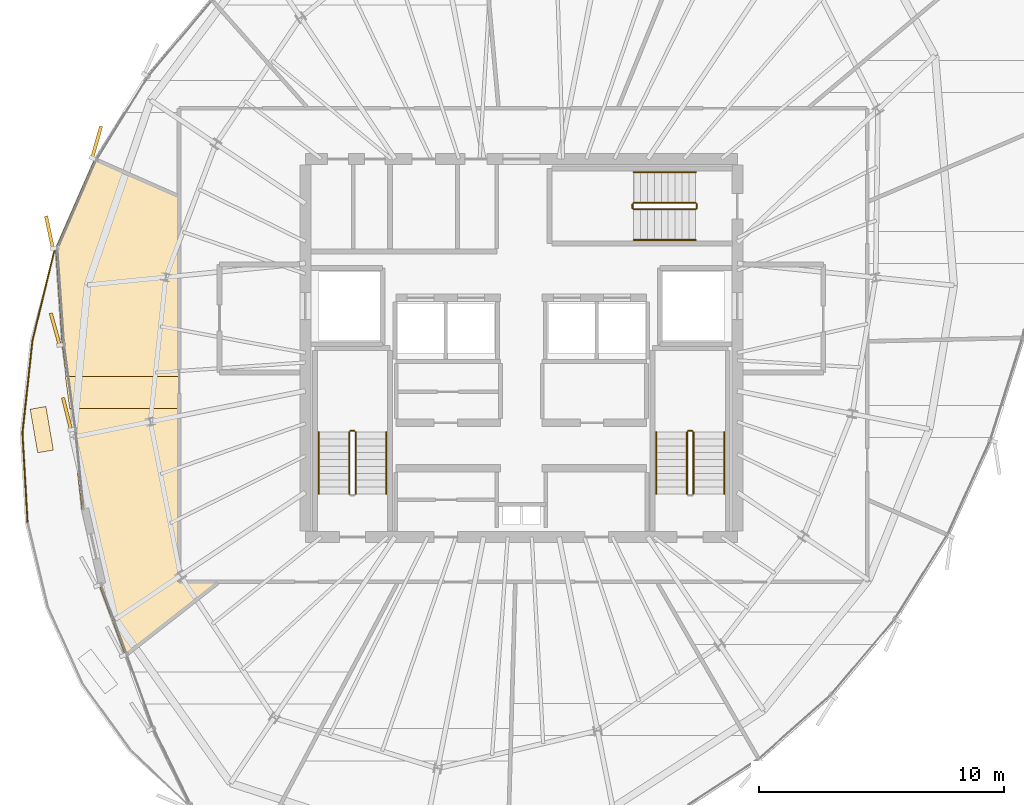
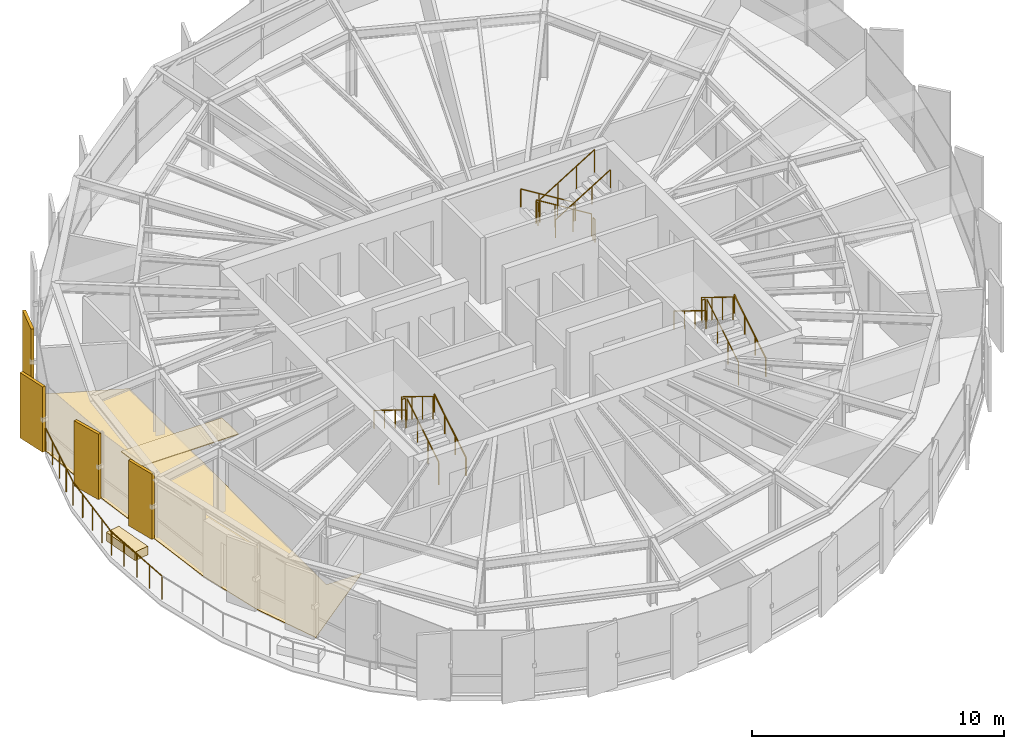
# One storey, part 31 of 32: 19 railings, 7 coverings.
"""IFC4 building model written with IfcOpenShell, lengths in metres."""

from ifc_helpers import new_model, si_unit, direction, frame, origin, origin_2d, place, context, subcontext, project, spatial, polyline, rectangle, circle, outline, extrude, source, transform, mapped, material, layer, layer_set, type_object, element, save


model = new_model("IFC4")

# Units and contexts
model_context = context("Model", 3, precision=1e-05, world=origin(), true_north=direction((0.0, 1.0)))
body_context = subcontext(model_context, "Body", "Model", "MODEL_VIEW")
ifc_project = project(units=[si_unit("LENGTHUNIT", "METRE"), si_unit("AREAUNIT", "SQUARE_METRE"), si_unit("VOLUMEUNIT", "CUBIC_METRE"), si_unit("PLANEANGLEUNIT", "RADIAN"), si_unit("MASSUNIT", "GRAM", prefix="KILO"), si_unit("THERMODYNAMICTEMPERATUREUNIT", "KELVIN")], contexts=[model_context])

# Site, building, storey
site_placement = place(None, origin())
site = spatial("IfcSite", under=ifc_project, at=site_placement, CompositionType="ELEMENT")
building_placement = place(site_placement, origin())
building = spatial("IfcBuilding", under=site, at=building_placement, Name="Kethvar Cultural Tower", CompositionType="ELEMENT")
storey_placement = place(building_placement, frame((0.0, 0.0, 252.550048828125)))
storey = spatial("IfcBuildingStorey", under=building, at=storey_placement, Name="L66", CompositionType="ELEMENT", Elevation=252.550048828125)

# Coverings
ifc_material_1 = material(Name="Acoustic Mineral Fibre Ceiling")
ifc_layer_1 = layer(ifc_material_1, 0.0400390625, Name="Acoustic Mineral Fibre Ceiling")
ifc_layer_set_1 = layer_set([ifc_layer_1], Name="Acoustic Mineral Fibre Ceiling (40 mm)")
covering_type_1 = type_object("IfcCoveringType", Name="CV-ACOUSTIC-CEIL", PredefinedType="CEILING", material=ifc_layer_set_1)
covering_1_placement = place(storey_placement, frame((0.0, 0.0, 3.0)))
element("IfcCovering", 1, at=covering_1_placement, inside=storey, type_object=covering_type_1, Name="L66 Room 12 Acoustic Ceiling Panel", PredefinedType="CEILING", context=body_context, shape_type="SweptSolid", body=[
    extrude(outline(polyline([(28.223388671875, 26.633544921875), (32.8701171875, 26.633544921875), (32.8701171875, 25.323486328125), (28.398193359375, 25.323486328125), (28.223388671875, 26.633544921875)])), origin(), (0.0, 0.0, 1.0), 0.0400390625),
])
ifc_material_2 = material(Name="Architectural Oak Timber", Category="wood")
ifc_layer_2 = layer(ifc_material_2, 0.02490234375, Name="Architectural Oak Timber", Category="wood")
ifc_layer_set_2 = layer_set([ifc_layer_2], Name="Architectural Oak Timber (25 mm)")
covering_type_2 = type_object("IfcCoveringType", Name="CV-OAK-FLOOR", PredefinedType="FLOORING", material=ifc_layer_set_2)
covering_2_placement = place(storey_placement, origin())
element("IfcCovering", 2, at=covering_2_placement, inside=storey, type_object=covering_type_2, Name="L66 Room 12 Floor Finish", PredefinedType="FLOORING", context=body_context, shape_type="SweptSolid", body=[
    extrude(outline(polyline([(29.583984375, 18.16259765625), (28.8896484375, 21.22412109375), (28.0869140625, 27.961669921875), (27.81640625, 31.8564453125), (29.398193359375, 35.475341796875), (32.830078125, 33.95751953125), (32.830078125, 18.26708984375), (34.429443359375, 18.2490234375), (30.63720703125, 15.313232421875), (29.583984375, 18.16259765625)])), origin(), (0.0, 0.0, 1.0), 0.02490234375),
])

# Railings
ifc_material_3 = material(Name="Steel S355J2", Category="steel")
railing_type_1 = type_object("IfcRailingType", Name="RL-EXT-GUARD-1150", PredefinedType="BALUSTRADE", material=ifc_material_3)
railing_1_placement = place(storey_placement, frame((27.7958984375, 31.860107421875, 0.0)))
element("IfcRailing", 3, at=railing_1_placement, inside=storey, type_object=railing_type_1, Name="L66 Spiralling Terrace Balustrade 01", PredefinedType="BALUSTRADE", context=body_context, shape_type="SweptSolid", body=[
    extrude(circle(Radius=0.02392578125, at=origin_2d()), frame((0.0, 0.0, 1.1259765625), z_axis=(-0.235875824651, -0.971783203881, 0.0), x_axis=(0.971783203881, -0.235875824651, 0.0)), (0.0, 0.0, 1.0), 3.876220703125),
    extrude(circle(Radius=0.02099609375, at=origin_2d()), origin(), (0.0, 0.0, 1.0), 1.101806640625),
    extrude(circle(Radius=0.02099609375, at=origin_2d()), frame((-0.228515625, -0.941650390625, 0.0)), (0.0, 0.0, 1.0), 1.101806640625),
    extrude(circle(Radius=0.02099609375, at=origin_2d()), frame((-0.45703125, -1.88330078125, 0.0)), (0.0, 0.0, 1.0), 1.101806640625),
    extrude(circle(Radius=0.02099609375, at=origin_2d()), frame((-0.685791015625, -2.8251953125, 0.0)), (0.0, 0.0, 1.0), 1.101806640625),
    extrude(circle(Radius=0.02099609375, at=origin_2d()), frame((-0.914306640625, -3.766845703125, 0.0)), (0.0, 0.0, 1.0), 1.101806640625),
])
railing_2_placement = place(storey_placement, frame((26.881591796875, 28.09326171875, 0.0)))
element("IfcRailing", 4, at=railing_2_placement, inside=storey, type_object=railing_type_1, Name="L66 Spiralling Terrace Balustrade 02", PredefinedType="BALUSTRADE", context=body_context, shape_type="SweptSolid", body=[
    extrude(circle(Radius=0.02392578125, at=origin_2d()), frame((0.0, 0.0, 1.1259765625), z_axis=(-0.107920335439, -0.994159545143, 0.0), x_axis=(0.994159545143, -0.107920335439, 0.0)), (0.0, 0.0, 1.0), 3.77783203125),
    extrude(circle(Radius=0.02099609375, at=origin_2d()), origin(), (0.0, 0.0, 1.0), 1.101806640625),
    extrude(circle(Radius=0.02099609375, at=origin_2d()), frame((-0.10205078125, -0.93896484375, 0.0)), (0.0, 0.0, 1.0), 1.101806640625),
    extrude(circle(Radius=0.02099609375, at=origin_2d()), frame((-0.203857421875, -1.8779296875, 0.0)), (0.0, 0.0, 1.0), 1.101806640625),
    extrude(circle(Radius=0.02099609375, at=origin_2d()), frame((-0.3056640625, -2.81689453125, 0.0)), (0.0, 0.0, 1.0), 1.101806640625),
    extrude(circle(Radius=0.02099609375, at=origin_2d()), frame((-0.40771484375, -3.755859375, 0.0)), (0.0, 0.0, 1.0), 1.101806640625),
])
railing_3_placement = place(storey_placement, frame((26.473876953125, 24.33740234375, 0.0)))
element("IfcRailing", 5, at=railing_3_placement, inside=storey, type_object=railing_type_1, Name="L66 Spiralling Terrace Balustrade 03", PredefinedType="BALUSTRADE", context=body_context, shape_type="SweptSolid", body=[
    extrude(circle(Radius=0.02392578125, at=origin_2d()), frame((0.0, 0.0, 1.1259765625), z_axis=(0.057399525856, -0.99835128809, 0.0), x_axis=(0.99835128809, 0.057399525856, 0.0)), (0.0, 0.0, 1.0), 3.657958984375),
    extrude(circle(Radius=0.02099609375, at=origin_2d()), origin(), (0.0, 0.0, 1.0), 1.101806640625),
    extrude(circle(Radius=0.02099609375, at=origin_2d()), frame((0.052490234375, -0.9130859375, 0.0)), (0.0, 0.0, 1.0), 1.101806640625),
    extrude(circle(Radius=0.02099609375, at=origin_2d()), frame((0.10498046875, -1.825927734375, 0.0)), (0.0, 0.0, 1.0), 1.101806640625),
    extrude(circle(Radius=0.02099609375, at=origin_2d()), frame((0.157470703125, -2.73876953125, 0.0)), (0.0, 0.0, 1.0), 1.101806640625),
    extrude(circle(Radius=0.02099609375, at=origin_2d()), frame((0.2099609375, -3.65185546875, 0.0)), (0.0, 0.0, 1.0), 1.101806640625),
])
railing_type_2 = type_object("IfcRailingType", Name="RL-STAIR-GUARD", PredefinedType="BALUSTRADE", material=ifc_material_3)
railing_4_placement = place(storey_placement, frame((40.050048828125, 21.85009765625, 0.17236328125)))
element("IfcRailing", 6, at=railing_4_placement, inside=storey, type_object=railing_type_2, Name="L66 ST-01 stair guard 1", PredefinedType="BALUSTRADE", context=body_context, shape_type="SweptSolid", body=[
    extrude(circle(Radius=0.02392578125, at=origin_2d()), frame((0.0, 0.0, 1.09619140625), z_axis=(0.0, 0.851400495292, 0.524516154772), x_axis=(-1.0, 0.0, 0.0)), (0.0, 0.0, 1.0), 2.9599609375),
    extrude(circle(Radius=0.02099609375, at=origin_2d()), origin(), (0.0, 0.0, 1.0), 1.072021484375),
    extrude(circle(Radius=0.02099609375, at=origin_2d()), frame((0.0, 0.840087890625, 0.517578125)), (0.0, 0.0, 1.0), 1.072021484375),
    extrude(circle(Radius=0.02099609375, at=origin_2d()), frame((0.0, 1.679931640625, 1.034912109375)), (0.0, 0.0, 1.0), 1.072021484375),
    extrude(circle(Radius=0.02099609375, at=origin_2d()), frame((0.0, 2.52001953125, 1.552490234375)), (0.0, 0.0, 1.0), 1.072021484375),
])
railing_5_placement = place(storey_placement, frame((40.0, 24.419921875, 1.724853515625)))
element("IfcRailing", 7, at=railing_5_placement, inside=storey, type_object=railing_type_2, Name="L66 ST-01 stair guard 2", PredefinedType="BALUSTRADE", context=body_context, shape_type="SweptSolid", body=[
    extrude(circle(Radius=0.02392578125, at=origin_2d()), frame((0.0, 0.0, 1.09619140625), z_axis=(-1.0, 0.0, 0.0), x_axis=(0.0, -1.0, 0.0)), (0.0, 0.0, 1.0), 0.159912109375),
    extrude(circle(Radius=0.02099609375, at=origin_2d()), origin(), (0.0, 0.0, 1.0), 1.072021484375),
    extrude(circle(Radius=0.02099609375, at=origin_2d()), frame((-0.159912109375, 0.0, 0.0)), (0.0, 0.0, 1.0), 1.072021484375),
])
railing_6_placement = place(storey_placement, frame((39.7900390625, 24.3701171875, 1.8974609375)))
element("IfcRailing", 8, at=railing_6_placement, inside=storey, type_object=railing_type_2, Name="L66 ST-01 stair guard 3", PredefinedType="BALUSTRADE", context=body_context, shape_type="SweptSolid", body=[
    extrude(circle(Radius=0.02392578125, at=origin_2d()), frame((0.0, 0.0, 1.09619140625), z_axis=(0.0, -0.851400495292, 0.524516154772), x_axis=(1.0, 0.0, 0.0)), (0.0, 0.0, 1.0), 2.9599609375),
    extrude(circle(Radius=0.02099609375, at=origin_2d()), origin(), (0.0, 0.0, 1.0), 1.072021484375),
    extrude(circle(Radius=0.02099609375, at=origin_2d()), frame((0.0, -0.840087890625, 0.517578125)), (0.0, 0.0, 1.0), 1.072021484375),
    extrude(circle(Radius=0.02099609375, at=origin_2d()), frame((0.0, -1.679931640625, 1.034912109375)), (0.0, 0.0, 1.0), 1.072021484375),
    extrude(circle(Radius=0.02099609375, at=origin_2d()), frame((0.0, -2.52001953125, 1.552490234375)), (0.0, 0.0, 1.0), 1.072021484375),
])
railing_7_placement = place(storey_placement, frame((53.81005859375, 21.85009765625, 0.17236328125)))
element("IfcRailing", 9, at=railing_7_placement, inside=storey, type_object=railing_type_2, Name="L66 ST-02 stair guard 1", PredefinedType="BALUSTRADE", context=body_context, shape_type="SweptSolid", body=[
    extrude(circle(Radius=0.02392578125, at=origin_2d()), frame((0.0, 0.0, 1.09619140625), z_axis=(0.0, 0.851400495292, 0.524516154772), x_axis=(-1.0, 0.0, 0.0)), (0.0, 0.0, 1.0), 2.9599609375),
    extrude(circle(Radius=0.02099609375, at=origin_2d()), origin(), (0.0, 0.0, 1.0), 1.072021484375),
    extrude(circle(Radius=0.02099609375, at=origin_2d()), frame((0.0, 0.840087890625, 0.517578125)), (0.0, 0.0, 1.0), 1.072021484375),
    extrude(circle(Radius=0.02099609375, at=origin_2d()), frame((0.0, 1.679931640625, 1.034912109375)), (0.0, 0.0, 1.0), 1.072021484375),
    extrude(circle(Radius=0.02099609375, at=origin_2d()), frame((0.0, 2.52001953125, 1.552490234375)), (0.0, 0.0, 1.0), 1.072021484375),
])
railing_8_placement = place(storey_placement, frame((53.760009765625, 24.419921875, 1.724853515625)))
element("IfcRailing", 10, at=railing_8_placement, inside=storey, type_object=railing_type_2, Name="L66 ST-02 stair guard 2", PredefinedType="BALUSTRADE", context=body_context, shape_type="SweptSolid", body=[
    extrude(circle(Radius=0.02392578125, at=origin_2d()), frame((0.0, 0.0, 1.09619140625), z_axis=(-1.0, 0.0, 0.0), x_axis=(0.0, -1.0, 0.0)), (0.0, 0.0, 1.0), 0.159912109375),
    extrude(circle(Radius=0.02099609375, at=origin_2d()), origin(), (0.0, 0.0, 1.0), 1.072021484375),
    extrude(circle(Radius=0.02099609375, at=origin_2d()), frame((-0.159912109375, 0.0, 0.0)), (0.0, 0.0, 1.0), 1.072021484375),
])
railing_9_placement = place(storey_placement, frame((53.550048828125, 24.3701171875, 1.8974609375)))
element("IfcRailing", 11, at=railing_9_placement, inside=storey, type_object=railing_type_2, Name="L66 ST-02 stair guard 3", PredefinedType="BALUSTRADE", context=body_context, shape_type="SweptSolid", body=[
    extrude(circle(Radius=0.02392578125, at=origin_2d()), frame((0.0, 0.0, 1.09619140625), z_axis=(0.0, -0.851400495292, 0.524516154772), x_axis=(1.0, 0.0, 0.0)), (0.0, 0.0, 1.0), 2.9599609375),
    extrude(circle(Radius=0.02099609375, at=origin_2d()), origin(), (0.0, 0.0, 1.0), 1.072021484375),
    extrude(circle(Radius=0.02099609375, at=origin_2d()), frame((0.0, -0.840087890625, 0.517578125)), (0.0, 0.0, 1.0), 1.072021484375),
    extrude(circle(Radius=0.02099609375, at=origin_2d()), frame((0.0, -1.679931640625, 1.034912109375)), (0.0, 0.0, 1.0), 1.072021484375),
    extrude(circle(Radius=0.02099609375, at=origin_2d()), frame((0.0, -2.52001953125, 1.552490234375)), (0.0, 0.0, 1.0), 1.072021484375),
])
railing_10_placement = place(storey_placement, frame((53.89990234375, 33.7099609375, 0.17236328125)))
element("IfcRailing", 12, at=railing_10_placement, inside=storey, type_object=railing_type_2, Name="L66 ST-03 stair guard 1", PredefinedType="BALUSTRADE", context=body_context, shape_type="SweptSolid", body=[
    extrude(circle(Radius=0.02392578125, at=origin_2d()), frame((0.0, 0.0, 1.09619140625), z_axis=(-0.851400495292, 0.0, 0.524516154772), x_axis=(0.0, -1.0, 0.0)), (0.0, 0.0, 1.0), 2.9599609375),
    extrude(circle(Radius=0.02099609375, at=origin_2d()), origin(), (0.0, 0.0, 1.0), 1.072021484375),
    extrude(circle(Radius=0.02099609375, at=origin_2d()), frame((-0.840087890625, 0.0, 0.517578125)), (0.0, 0.0, 1.0), 1.072021484375),
    extrude(circle(Radius=0.02099609375, at=origin_2d()), frame((-1.679931640625, 0.0, 1.034912109375)), (0.0, 0.0, 1.0), 1.072021484375),
    extrude(circle(Radius=0.02099609375, at=origin_2d()), frame((-2.52001953125, 0.0, 1.552490234375)), (0.0, 0.0, 1.0), 1.072021484375),
])
railing_11_placement = place(storey_placement, frame((51.330078125, 33.659912109375, 1.724853515625)))
element("IfcRailing", 13, at=railing_11_placement, inside=storey, type_object=railing_type_2, Name="L66 ST-03 stair guard 2", PredefinedType="BALUSTRADE", context=body_context, shape_type="SweptSolid", body=[
    extrude(circle(Radius=0.02392578125, at=origin_2d()), frame((0.0, 0.0, 1.09619140625), z_axis=(0.0, -1.0, 0.0), x_axis=(1.0, 0.0, 0.0)), (0.0, 0.0, 1.0), 0.159912109375),
    extrude(circle(Radius=0.02099609375, at=origin_2d()), origin(), (0.0, 0.0, 1.0), 1.072021484375),
    extrude(circle(Radius=0.02099609375, at=origin_2d()), frame((0.0, -0.159912109375, 0.0)), (0.0, 0.0, 1.0), 1.072021484375),
])
railing_12_placement = place(storey_placement, frame((51.3798828125, 33.449951171875, 1.8974609375)))
element("IfcRailing", 14, at=railing_12_placement, inside=storey, type_object=railing_type_2, Name="L66 ST-03 stair guard 3", PredefinedType="BALUSTRADE", context=body_context, shape_type="SweptSolid", body=[
    extrude(circle(Radius=0.02392578125, at=origin_2d()), frame((0.0, 0.0, 1.09619140625), z_axis=(0.851400495292, 0.0, 0.524516154772), x_axis=(0.0, 1.0, 0.0)), (0.0, 0.0, 1.0), 2.9599609375),
    extrude(circle(Radius=0.02099609375, at=origin_2d()), origin(), (0.0, 0.0, 1.0), 1.072021484375),
    extrude(circle(Radius=0.02099609375, at=origin_2d()), frame((0.840087890625, 0.0, 0.517578125)), (0.0, 0.0, 1.0), 1.072021484375),
    extrude(circle(Radius=0.02099609375, at=origin_2d()), frame((1.679931640625, 0.0, 1.034912109375)), (0.0, 0.0, 1.0), 1.072021484375),
    extrude(circle(Radius=0.02099609375, at=origin_2d()), frame((2.52001953125, 0.0, 1.552490234375)), (0.0, 0.0, 1.0), 1.072021484375),
])
railing_13_placement = place(storey_placement, frame((53.949951171875, 33.659912109375, 0.0)))
element("IfcRailing", 15, at=railing_13_placement, inside=storey, type_object=railing_type_2, Name="L66 ST-03 stair guard 4", PredefinedType="BALUSTRADE", context=body_context, shape_type="SweptSolid", body=[
    extrude(circle(Radius=0.02392578125, at=origin_2d()), frame((0.0, 0.0, 1.09619140625), z_axis=(0.0, -1.0, 0.0), x_axis=(1.0, 0.0, 0.0)), (0.0, 0.0, 1.0), 0.159912109375),
    extrude(circle(Radius=0.02099609375, at=origin_2d()), origin(), (0.0, 0.0, 1.0), 1.072021484375),
    extrude(circle(Radius=0.02099609375, at=origin_2d()), frame((0.0, -0.159912109375, 0.0)), (0.0, 0.0, 1.0), 1.072021484375),
])
railing_type_3 = type_object("IfcRailingType", Name="RL-STAIR-HANDRAIL", PredefinedType="HANDRAIL", material=ifc_material_3)
railing_14_placement = place(storey_placement, frame((41.300048828125, 21.85009765625, 0.17236328125)))
element("IfcRailing", 16, at=railing_14_placement, inside=storey, type_object=railing_type_3, Name="L66 ST-01 stair handrail 1", PredefinedType="HANDRAIL", context=body_context, shape_type="SweptSolid", body=[
    extrude(circle(Radius=0.02392578125, at=origin_2d()), frame((0.0, 0.0, 0.8759765625), z_axis=(0.0, 0.851400495292, 0.524516154772), x_axis=(-1.0, 0.0, 0.0)), (0.0, 0.0, 1.0), 2.9599609375),
    extrude(circle(Radius=0.02099609375, at=origin_2d()), origin(), (0.0, 0.0, 1.0), 0.851806640625),
    extrude(circle(Radius=0.02099609375, at=origin_2d()), frame((0.0, 0.840087890625, 0.517578125)), (0.0, 0.0, 1.0), 0.851806640625),
    extrude(circle(Radius=0.02099609375, at=origin_2d()), frame((0.0, 1.679931640625, 1.034912109375)), (0.0, 0.0, 1.0), 0.851806640625),
    extrude(circle(Radius=0.02099609375, at=origin_2d()), frame((0.0, 2.52001953125, 1.552490234375)), (0.0, 0.0, 1.0), 0.851806640625),
])
railing_15_placement = place(storey_placement, frame((38.5400390625, 24.3701171875, 1.8974609375)))
element("IfcRailing", 17, at=railing_15_placement, inside=storey, type_object=railing_type_3, Name="L66 ST-01 stair handrail 2", PredefinedType="HANDRAIL", context=body_context, shape_type="SweptSolid", body=[
    extrude(circle(Radius=0.02392578125, at=origin_2d()), frame((0.0, 0.0, 0.8759765625), z_axis=(0.0, -0.851400495292, 0.524516154772), x_axis=(1.0, 0.0, 0.0)), (0.0, 0.0, 1.0), 2.9599609375),
    extrude(circle(Radius=0.02099609375, at=origin_2d()), origin(), (0.0, 0.0, 1.0), 0.851806640625),
    extrude(circle(Radius=0.02099609375, at=origin_2d()), frame((0.0, -0.840087890625, 0.517578125)), (0.0, 0.0, 1.0), 0.851806640625),
    extrude(circle(Radius=0.02099609375, at=origin_2d()), frame((0.0, -1.679931640625, 1.034912109375)), (0.0, 0.0, 1.0), 0.851806640625),
    extrude(circle(Radius=0.02099609375, at=origin_2d()), frame((0.0, -2.52001953125, 1.552490234375)), (0.0, 0.0, 1.0), 0.851806640625),
])
railing_16_placement = place(storey_placement, frame((55.06005859375, 21.85009765625, 0.17236328125)))
element("IfcRailing", 18, at=railing_16_placement, inside=storey, type_object=railing_type_3, Name="L66 ST-02 stair handrail 1", PredefinedType="HANDRAIL", context=body_context, shape_type="SweptSolid", body=[
    extrude(circle(Radius=0.02392578125, at=origin_2d()), frame((0.0, 0.0, 0.8759765625), z_axis=(0.0, 0.851400495292, 0.524516154772), x_axis=(-1.0, 0.0, 0.0)), (0.0, 0.0, 1.0), 2.9599609375),
    extrude(circle(Radius=0.02099609375, at=origin_2d()), origin(), (0.0, 0.0, 1.0), 0.851806640625),
    extrude(circle(Radius=0.02099609375, at=origin_2d()), frame((0.0, 0.840087890625, 0.517578125)), (0.0, 0.0, 1.0), 0.851806640625),
    extrude(circle(Radius=0.02099609375, at=origin_2d()), frame((0.0, 1.679931640625, 1.034912109375)), (0.0, 0.0, 1.0), 0.851806640625),
    extrude(circle(Radius=0.02099609375, at=origin_2d()), frame((0.0, 2.52001953125, 1.552490234375)), (0.0, 0.0, 1.0), 0.851806640625),
])
railing_17_placement = place(storey_placement, frame((52.300048828125, 24.3701171875, 1.8974609375)))
element("IfcRailing", 19, at=railing_17_placement, inside=storey, type_object=railing_type_3, Name="L66 ST-02 stair handrail 2", PredefinedType="HANDRAIL", context=body_context, shape_type="SweptSolid", body=[
    extrude(circle(Radius=0.02392578125, at=origin_2d()), frame((0.0, 0.0, 0.8759765625), z_axis=(0.0, -0.851400495292, 0.524516154772), x_axis=(1.0, 0.0, 0.0)), (0.0, 0.0, 1.0), 2.9599609375),
    extrude(circle(Radius=0.02099609375, at=origin_2d()), origin(), (0.0, 0.0, 1.0), 0.851806640625),
    extrude(circle(Radius=0.02099609375, at=origin_2d()), frame((0.0, -0.840087890625, 0.517578125)), (0.0, 0.0, 1.0), 0.851806640625),
    extrude(circle(Radius=0.02099609375, at=origin_2d()), frame((0.0, -1.679931640625, 1.034912109375)), (0.0, 0.0, 1.0), 0.851806640625),
    extrude(circle(Radius=0.02099609375, at=origin_2d()), frame((0.0, -2.52001953125, 1.552490234375)), (0.0, 0.0, 1.0), 0.851806640625),
])
railing_18_placement = place(storey_placement, frame((53.89990234375, 34.9599609375, 0.17236328125)))
element("IfcRailing", 20, at=railing_18_placement, inside=storey, type_object=railing_type_3, Name="L66 ST-03 stair handrail 1", PredefinedType="HANDRAIL", context=body_context, shape_type="SweptSolid", body=[
    extrude(circle(Radius=0.02392578125, at=origin_2d()), frame((0.0, 0.0, 0.8759765625), z_axis=(-0.851400495292, 0.0, 0.524516154772), x_axis=(0.0, -1.0, 0.0)), (0.0, 0.0, 1.0), 2.9599609375),
    extrude(circle(Radius=0.02099609375, at=origin_2d()), origin(), (0.0, 0.0, 1.0), 0.851806640625),
    extrude(circle(Radius=0.02099609375, at=origin_2d()), frame((-0.840087890625, 0.0, 0.517578125)), (0.0, 0.0, 1.0), 0.851806640625),
    extrude(circle(Radius=0.02099609375, at=origin_2d()), frame((-1.679931640625, 0.0, 1.034912109375)), (0.0, 0.0, 1.0), 0.851806640625),
    extrude(circle(Radius=0.02099609375, at=origin_2d()), frame((-2.52001953125, 0.0, 1.552490234375)), (0.0, 0.0, 1.0), 0.851806640625),
])
railing_19_placement = place(storey_placement, frame((51.3798828125, 32.199951171875, 1.8974609375)))
element("IfcRailing", 21, at=railing_19_placement, inside=storey, type_object=railing_type_3, Name="L66 ST-03 stair handrail 2", PredefinedType="HANDRAIL", context=body_context, shape_type="SweptSolid", body=[
    extrude(circle(Radius=0.02392578125, at=origin_2d()), frame((0.0, 0.0, 0.8759765625), z_axis=(0.851400495292, 0.0, 0.524516154772), x_axis=(0.0, 1.0, 0.0)), (0.0, 0.0, 1.0), 2.9599609375),
    extrude(circle(Radius=0.02099609375, at=origin_2d()), origin(), (0.0, 0.0, 1.0), 0.851806640625),
    extrude(circle(Radius=0.02099609375, at=origin_2d()), frame((0.840087890625, 0.0, 0.517578125)), (0.0, 0.0, 1.0), 0.851806640625),
    extrude(circle(Radius=0.02099609375, at=origin_2d()), frame((1.679931640625, 0.0, 1.034912109375)), (0.0, 0.0, 1.0), 0.851806640625),
    extrude(circle(Radius=0.02099609375, at=origin_2d()), frame((2.52001953125, 0.0, 1.552490234375)), (0.0, 0.0, 1.0), 0.851806640625),
])

# Coverings
ifc_material_4 = material(Name="Extruded Architectural Terracotta", Category="masonry")
ifc_layer_3 = layer(ifc_material_4, 0.419921875, Name="Extruded Architectural Terracotta", Category="masonry")
ifc_layer_set_3 = layer_set([ifc_layer_3], Name="Extruded Architectural Terracotta (420 mm)")
covering_type_3 = type_object("IfcCoveringType", Name="Terracotta Terrace Planter PLANTER-01", PredefinedType="USERDEFINED", material=ifc_layer_set_3)
shared_shape_1 = source(origin(), body_context, "Body", "SweptSolid", [
    extrude(rectangle(XDim=1.800048828125, YDim=0.64990234375, at=origin_2d()), origin(), (0.0, 0.0, 1.0), 0.419921875),
])
covering_3_placement = place(storey_placement, frame((27.262451171875, 24.4716796875, 0.0), z_axis=(0.0, 0.0, 1.0), x_axis=(0.167973243363, -0.9857915548, 0.0)))
element("IfcCovering", 22, at=covering_3_placement, inside=storey, type_object=covering_type_3, Name="L66 Sky Terrace Planter Box A", ObjectType="PLANTER", PredefinedType="USERDEFINED", context=body_context, shape_type="MappedRepresentation", body=[
    mapped(shared_shape_1, transform((0.0, 0.0, 0.0), scale=1.0)),
])
ifc_layer_4 = layer(ifc_material_4, 0.135009765625, Name="Extruded Architectural Terracotta", Category="masonry")
ifc_layer_set_4 = layer_set([ifc_layer_4], Name="Extruded Architectural Terracotta (135 mm)")
covering_type_4 = type_object("IfcCoveringType", Name="Terracotta Facade Fin FIN-03", PredefinedType="CLADDING", material=ifc_layer_set_4)
shared_shape_2 = source(origin(), body_context, "Body", "SweptSolid", [
    extrude(rectangle(XDim=1.35009765625, YDim=0.135009765625, at=origin_2d()), origin(), (0.0, 0.0, 1.0), 3.169921875),
])
for number, where, z_axis, x_axis, name in (
    (23, (29.49609375, 36.183837890625, 0.02001953125), (0.0, 0.0, 1.0), (0.269087920099, 0.963115616765, 0.0), "L66 Vertical Terracotta Fin 2.5"),
    (24, (27.576171875, 32.514892578125, 0.02001953125), (0.0, 0.0, 1.0), (-0.207399505455, 0.978256328953, 0.0), "L66 Vertical Terracotta Fin 2.6"),
    (25, (27.810791015625, 28.56396484375, 0.02001953125), (0.0, 0.0, 1.0), (-0.26875171294, 0.963209487491, 0.0), "L66 Vertical Terracotta Fin 3.1"),
    (26, (28.2900390625, 25.118408203125, 0.02001953125), (0.0, 0.0, 1.0), (-0.240736275485, 0.970590565411, 0.0), "L66 Vertical Terracotta Fin 3.2"),
):
    element("IfcCovering", number, at=place(storey_placement, frame(where, z_axis=z_axis, x_axis=x_axis)), inside=storey, type_object=covering_type_4, Name=name, PredefinedType="CLADDING", context=body_context, shape_type="MappedRepresentation", body=[
        mapped(shared_shape_2, transform((0.0, 0.0, 0.0), scale=1.0)),
    ])

save(model, "model.ifc")
